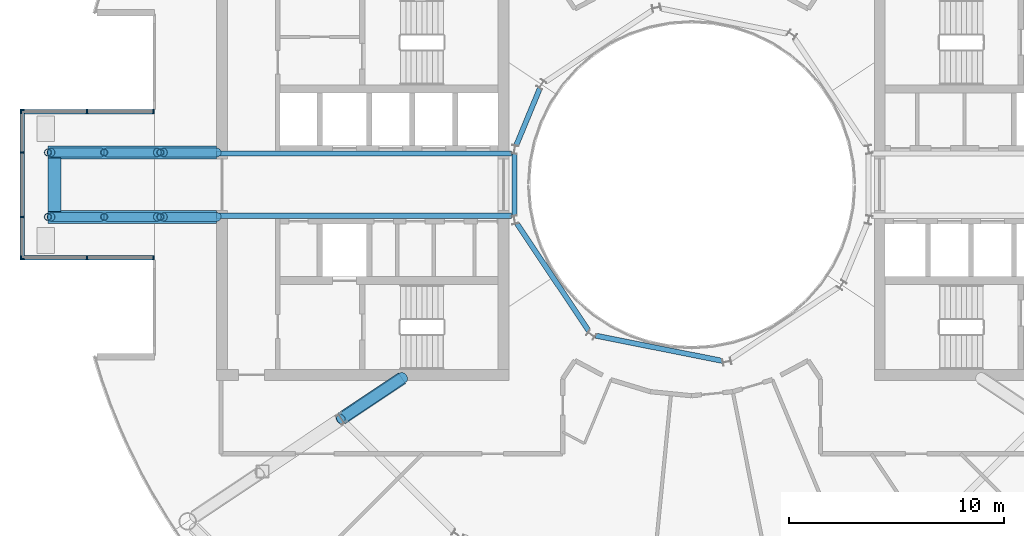
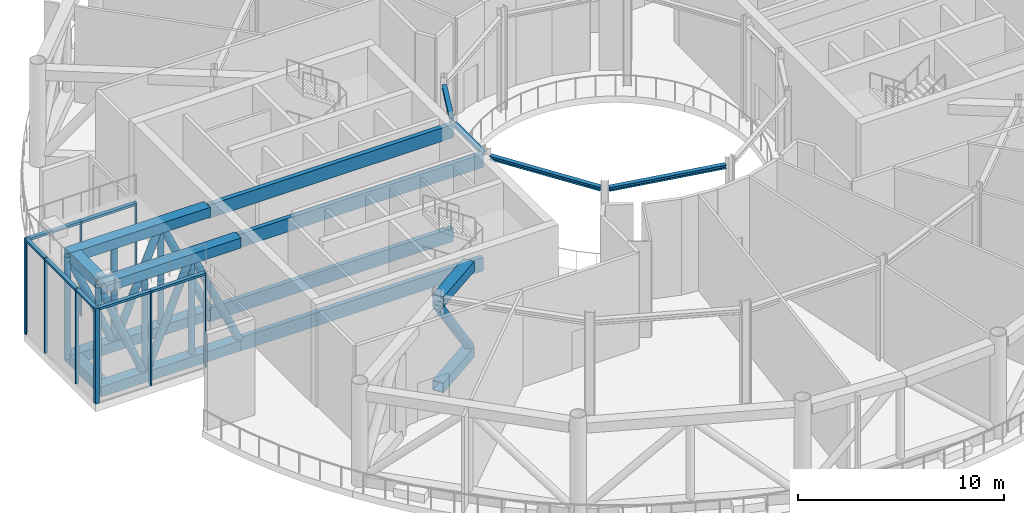
# One storey, part 6 of 24: 30 members, 16 beams, 3 elements without a shape of their own.
"""IFC4 building model written with IfcOpenShell, lengths in metres."""

from ifc_helpers import new_model, si_unit, direction, frame, origin, origin_2d, place, context, subcontext, project, spatial, rectangle, hollow_rectangle, hollow_circle, i_section, extrude, material, layer, layer_set, material_profile, profile_set, type_object, element, aggregate, save


model = new_model("IFC4")

# Units and contexts
model_context = context("Model", 3, precision=1e-05, world=origin(), true_north=direction((0.0, 1.0)))
body_context = subcontext(model_context, "Body", "Model", "MODEL_VIEW")
ifc_project = project(units=[si_unit("LENGTHUNIT", "METRE"), si_unit("AREAUNIT", "SQUARE_METRE"), si_unit("VOLUMEUNIT", "CUBIC_METRE"), si_unit("PLANEANGLEUNIT", "RADIAN"), si_unit("MASSUNIT", "GRAM", prefix="KILO")], contexts=[model_context])

# Site, building, storey
site_placement = place(None, origin())
site = spatial("IfcSite", under=ifc_project, at=site_placement, CompositionType="ELEMENT")
building_placement = place(site_placement, origin())
building = spatial("IfcBuilding", under=site, at=building_placement, Name="Maasbend Ring Residences", CompositionType="ELEMENT")
storey_placement = place(building_placement, frame((0.0, 0.0, 179.89990234375)))
storey = spatial("IfcBuildingStorey", under=building, at=storey_placement, Name="L52", CompositionType="ELEMENT", Elevation=179.89990234375)

# Curtain wall, members
ifc_material_1 = material(Name="Aluminium and clear glass", Category="aluminium")
ifc_layer = layer(ifc_material_1, 0.199951171875)
ifc_layer_set = layer_set([ifc_layer], Name="CW-GR")
curtain_wall_type = type_object("IfcCurtainWallType", Name="CW-GR", PredefinedType="NOTDEFINED", material=ifc_layer_set)
curtain_wall_1_placement = place(storey_placement, origin())
curtain_wall_1 = element("IfcCurtainWall", 1, at=curtain_wall_1_placement, inside=storey, type_object=curtain_wall_type, Name="Glass lounge curtain wall tip", PredefinedType="NOTDEFINED")
ifc_material_2 = material(Name="Aluminium 6063-T6", Category="aluminium")
ifc_material_profile_1 = material_profile(ifc_material_2, rectangle(XDim=0.199951171875, YDim=0.070068359375, at=origin_2d()), Name="AL 200x70")
ifc_profile_set_1 = profile_set([ifc_material_profile_1], Name="Aluminium 6063-T6")
member_type_1 = type_object("IfcMemberType", Name="CWM-GR", PredefinedType="MULLION", material=ifc_profile_set_1)
member_1_placement = place(storey_placement, frame((-31.14990234375, -3.465087890625, 0.0), z_axis=(0.0, 0.0, 1.0), x_axis=(-1.0, 0.0, 0.0)))
member_1 = element("IfcMember", 2, at=member_1_placement, type_object=member_type_1, Name="Mullion glass room", PredefinedType="MULLION", context=body_context, shape_type="SweptSolid", body=[
    extrude(rectangle(XDim=0.199951171875, YDim=0.070068359375, at=origin_2d()), origin(), (0.0, 0.0, 1.0), 5.650146484375),
])
member_2_placement = place(storey_placement, frame((-31.14990234375, -1.5, 0.0), z_axis=(0.0, 0.0, 1.0), x_axis=(-1.0, 0.0, 0.0)))
member_2 = element("IfcMember", 3, at=member_2_placement, type_object=member_type_1, Name="Mullion glass room", PredefinedType="MULLION", context=body_context, shape_type="SweptSolid", body=[
    extrude(rectangle(XDim=0.199951171875, YDim=0.070068359375, at=origin_2d()), origin(), (0.0, 0.0, 1.0), 5.650146484375),
])
member_3_placement = place(storey_placement, frame((-31.14990234375, 1.5, 0.0), z_axis=(0.0, 0.0, 1.0), x_axis=(-1.0, 0.0, 0.0)))
member_3 = element("IfcMember", 4, at=member_3_placement, type_object=member_type_1, Name="Mullion glass room", PredefinedType="MULLION", context=body_context, shape_type="SweptSolid", body=[
    extrude(rectangle(XDim=0.199951171875, YDim=0.070068359375, at=origin_2d()), origin(), (0.0, 0.0, 1.0), 5.650146484375),
])
member_4_placement = place(storey_placement, frame((-31.14990234375, 3.465087890625, 0.0), z_axis=(0.0, 0.0, 1.0), x_axis=(-1.0, 0.0, 0.0)))
member_4 = element("IfcMember", 5, at=member_4_placement, type_object=member_type_1, Name="Mullion glass room", PredefinedType="MULLION", context=body_context, shape_type="SweptSolid", body=[
    extrude(rectangle(XDim=0.199951171875, YDim=0.070068359375, at=origin_2d()), origin(), (0.0, 0.0, 1.0), 5.650146484375),
])

curtain_wall_2_placement = place(storey_placement, origin())
curtain_wall_2 = element("IfcCurtainWall", 6, at=curtain_wall_2_placement, inside=storey, type_object=curtain_wall_type, Name="Glass lounge curtain wall south", PredefinedType="NOTDEFINED")
member_5_placement = place(storey_placement, frame((-25.034912109375, -3.39990234375, 0.0), z_axis=(0.0, 0.0, 1.0), x_axis=(0.0, -1.0, 0.0)))
member_5 = element("IfcMember", 7, at=member_5_placement, type_object=member_type_1, Name="Mullion glass room", PredefinedType="MULLION", context=body_context, shape_type="SweptSolid", body=[
    extrude(rectangle(XDim=0.199951171875, YDim=0.070068359375, at=origin_2d()), origin(), (0.0, 0.0, 1.0), 5.650146484375),
])
member_6_placement = place(storey_placement, frame((-28.125, -3.39990234375, 0.0), z_axis=(0.0, 0.0, 1.0), x_axis=(0.0, -1.0, 0.0)))
member_6 = element("IfcMember", 8, at=member_6_placement, type_object=member_type_1, Name="Mullion glass room", PredefinedType="MULLION", context=body_context, shape_type="SweptSolid", body=[
    extrude(rectangle(XDim=0.199951171875, YDim=0.070068359375, at=origin_2d()), origin(), (0.0, 0.0, 1.0), 5.650146484375),
])
member_7_placement = place(storey_placement, frame((-31.215087890625, -3.39990234375, 0.0), z_axis=(0.0, 0.0, 1.0), x_axis=(0.0, -1.0, 0.0)))
member_7 = element("IfcMember", 9, at=member_7_placement, type_object=member_type_1, Name="Mullion glass room", PredefinedType="MULLION", context=body_context, shape_type="SweptSolid", body=[
    extrude(rectangle(XDim=0.199951171875, YDim=0.070068359375, at=origin_2d()), origin(), (0.0, 0.0, 1.0), 5.650146484375),
])

curtain_wall_3_placement = place(storey_placement, origin())
curtain_wall_3 = element("IfcCurtainWall", 10, at=curtain_wall_3_placement, inside=storey, type_object=curtain_wall_type, Name="Glass lounge curtain wall north", PredefinedType="NOTDEFINED")
member_8_placement = place(storey_placement, frame((-25.034912109375, 3.39990234375, 0.0), z_axis=(0.0, 0.0, 1.0), x_axis=(0.0, -1.0, 0.0)))
member_8 = element("IfcMember", 11, at=member_8_placement, type_object=member_type_1, Name="Mullion glass room", PredefinedType="MULLION", context=body_context, shape_type="SweptSolid", body=[
    extrude(rectangle(XDim=0.199951171875, YDim=0.070068359375, at=origin_2d()), origin(), (0.0, 0.0, 1.0), 5.650146484375),
])
member_9_placement = place(storey_placement, frame((-28.125, 3.39990234375, 0.0), z_axis=(0.0, 0.0, 1.0), x_axis=(0.0, -1.0, 0.0)))
member_9 = element("IfcMember", 12, at=member_9_placement, type_object=member_type_1, Name="Mullion glass room", PredefinedType="MULLION", context=body_context, shape_type="SweptSolid", body=[
    extrude(rectangle(XDim=0.199951171875, YDim=0.070068359375, at=origin_2d()), origin(), (0.0, 0.0, 1.0), 5.650146484375),
])
member_10_placement = place(storey_placement, frame((-31.215087890625, 3.39990234375, 0.0), z_axis=(0.0, 0.0, 1.0), x_axis=(0.0, -1.0, 0.0)))
member_10 = element("IfcMember", 13, at=member_10_placement, type_object=member_type_1, Name="Mullion glass room", PredefinedType="MULLION", context=body_context, shape_type="SweptSolid", body=[
    extrude(rectangle(XDim=0.199951171875, YDim=0.070068359375, at=origin_2d()), origin(), (0.0, 0.0, 1.0), 5.650146484375),
])

# Member
ifc_material_3 = material(Name="Aluminium 6063-T6", Category="aluminium")
ifc_material_profile_2 = material_profile(ifc_material_3, rectangle(XDim=0.199951171875, YDim=0.139892578125, at=origin_2d()), Name="AL 200x140")
ifc_profile_set_2 = profile_set([ifc_material_profile_2], Name="Aluminium 6063-T6")
member_type_2 = type_object("IfcMemberType", Name="CWT-GR", PredefinedType="USERDEFINED", material=ifc_profile_set_2)
member_11_placement = place(storey_placement, frame((-31.14990234375, -3.429931640625, 5.580078125), z_axis=(0.0, 1.0, 0.0), x_axis=(-1.0, 0.0, 0.0)))
member_11 = element("IfcMember", 14, at=member_11_placement, type_object=member_type_2, Name="Transom glass room", ObjectType="TRANSOM", PredefinedType="USERDEFINED", context=body_context, shape_type="SweptSolid", body=[
    extrude(rectangle(XDim=0.199951171875, YDim=0.139892578125, at=origin_2d()), origin(), (0.0, 0.0, 1.0), 1.89501953125),
])

member_12_placement = place(storey_placement, frame((-31.14990234375, -1.465087890625, 5.580078125), z_axis=(0.0, 1.0, 0.0), x_axis=(-1.0, 0.0, 0.0)))
member_12 = element("IfcMember", 15, at=member_12_placement, type_object=member_type_2, Name="Transom glass room", ObjectType="TRANSOM", PredefinedType="USERDEFINED", context=body_context, shape_type="SweptSolid", body=[
    extrude(rectangle(XDim=0.199951171875, YDim=0.139892578125, at=origin_2d()), origin(), (0.0, 0.0, 1.0), 2.93017578125),
])

member_13_placement = place(storey_placement, frame((-31.14990234375, 1.534912109375, 5.580078125), z_axis=(0.0, 1.0, 0.0), x_axis=(-1.0, 0.0, 0.0)))
member_13 = element("IfcMember", 16, at=member_13_placement, type_object=member_type_2, Name="Transom glass room", ObjectType="TRANSOM", PredefinedType="USERDEFINED", context=body_context, shape_type="SweptSolid", body=[
    extrude(rectangle(XDim=0.199951171875, YDim=0.139892578125, at=origin_2d()), origin(), (0.0, 0.0, 1.0), 1.89501953125),
])

aggregate(curtain_wall_1, [member_1, member_2, member_3, member_4, member_11, member_12, member_13])

member_14_placement = place(storey_placement, frame((-25.070068359375, -3.39990234375, 5.580078125), z_axis=(-1.0, 0.0, 0.0), x_axis=(0.0, -1.0, 0.0)))
member_14 = element("IfcMember", 17, at=member_14_placement, type_object=member_type_2, Name="Transom glass room", ObjectType="TRANSOM", PredefinedType="USERDEFINED", context=body_context, shape_type="SweptSolid", body=[
    extrude(rectangle(XDim=0.199951171875, YDim=0.139892578125, at=origin_2d()), origin(), (0.0, 0.0, 1.0), 3.02001953125),
])

member_15_placement = place(storey_placement, frame((-28.159912109375, -3.39990234375, 5.580078125), z_axis=(-1.0, 0.0, 0.0), x_axis=(0.0, -1.0, 0.0)))
member_15 = element("IfcMember", 18, at=member_15_placement, type_object=member_type_2, Name="Transom glass room", ObjectType="TRANSOM", PredefinedType="USERDEFINED", context=body_context, shape_type="SweptSolid", body=[
    extrude(rectangle(XDim=0.199951171875, YDim=0.139892578125, at=origin_2d()), origin(), (0.0, 0.0, 1.0), 3.02001953125),
])

aggregate(curtain_wall_2, [member_5, member_6, member_7, member_14, member_15])

member_16_placement = place(storey_placement, frame((-25.070068359375, 3.39990234375, 5.580078125), z_axis=(-1.0, 0.0, 0.0), x_axis=(0.0, -1.0, 0.0)))
member_16 = element("IfcMember", 19, at=member_16_placement, type_object=member_type_2, Name="Transom glass room", ObjectType="TRANSOM", PredefinedType="USERDEFINED", context=body_context, shape_type="SweptSolid", body=[
    extrude(rectangle(XDim=0.199951171875, YDim=0.139892578125, at=origin_2d()), origin(), (0.0, 0.0, 1.0), 3.02001953125),
])

member_17_placement = place(storey_placement, frame((-28.159912109375, 3.39990234375, 5.580078125), z_axis=(-1.0, 0.0, 0.0), x_axis=(0.0, -1.0, 0.0)))
member_17 = element("IfcMember", 20, at=member_17_placement, type_object=member_type_2, Name="Transom glass room", ObjectType="TRANSOM", PredefinedType="USERDEFINED", context=body_context, shape_type="SweptSolid", body=[
    extrude(rectangle(XDim=0.199951171875, YDim=0.139892578125, at=origin_2d()), origin(), (0.0, 0.0, 1.0), 3.02001953125),
])

aggregate(curtain_wall_3, [member_8, member_9, member_10, member_16, member_17])

# Beams
ifc_material_4 = material(Name="Steel S460M", Category="steel")
ifc_material_profile_3 = material_profile(ifc_material_4, hollow_rectangle(XDim=0.25, YDim=0.800048828125, WallThickness=0.02490234375, at=origin_2d()), Name="Glass room back-span beam BX 800x250x25")
ifc_profile_set_3 = profile_set([ifc_material_profile_3], Name="Steel S460M")
beam_type_1 = type_object("IfcBeamType", Name="Glass room back-span beam BX 800x250x25", PredefinedType="BEAM", material=ifc_profile_set_3)
for number, where, z_axis, x_axis, name in (
    (21, (-22.10009765625, -1.449951171875, -0.849853515625), (1.0, 0.0, 0.0), (0.0, 1.0, 0.0), "Glass room lower back-span beam W"),
    (22, (-22.10009765625, -1.449951171875, 5.300048828125), (1.0, 0.0, 0.0), (0.0, 1.0, 0.0), "Glass room back-span beam W"),
    (23, (-22.10009765625, 1.449951171875, -0.849853515625), (1.0, 0.0, 0.0), (0.0, 1.0, 0.0), "Glass room lower back-span beam W"),
    (24, (-22.10009765625, 1.449951171875, 5.300048828125), (1.0, 0.0, 0.0), (0.0, 1.0, 0.0), "Glass room back-span beam W"),
):
    element("IfcBeam", number, at=place(storey_placement, frame(where, z_axis=z_axis, x_axis=x_axis)), inside=storey, type_object=beam_type_1, Name=name, PredefinedType="BEAM", context=body_context, shape_type="SweptSolid", body=[
        extrude(hollow_rectangle(XDim=0.25, YDim=0.800048828125, WallThickness=0.02490234375, at=origin_2d()), origin(), (0.0, 0.0, 1.0), 13.73095703125),
    ])
ifc_material_5 = material(Name="Steel S460M", Category="steel")
ifc_material_profile_4 = material_profile(ifc_material_5, hollow_rectangle(XDim=0.60009765625, YDim=0.60009765625, WallThickness=0.035888671875, at=origin_2d()), Name="Glass room truss chord BX 600x600x36")
ifc_profile_set_4 = profile_set([ifc_material_profile_4], Name="Steel S460M")
beam_type_2 = type_object("IfcBeamType", Name="Glass room truss chord BX 600x600x36", PredefinedType="BEAM", material=ifc_profile_set_4)
for number, where, z_axis, x_axis, name in (
    (25, (-22.10009765625, -1.5, -0.75), (-1.0, 0.0, 0.0), (0.0, -1.0, 0.0), "Glass room truss W"),
    (26, (-22.10009765625, -1.5, 5.35009765625), (-1.0, 0.0, 0.0), (0.0, -1.0, 0.0), "Glass room truss W"),
):
    element("IfcBeam", number, at=place(storey_placement, frame(where, z_axis=z_axis, x_axis=x_axis)), inside=storey, type_object=beam_type_2, Name=name, PredefinedType="BEAM", context=body_context, shape_type="SweptSolid", body=[
        extrude(hollow_rectangle(XDim=0.60009765625, YDim=0.60009765625, WallThickness=0.035888671875, at=origin_2d()), origin(), (0.0, 0.0, 1.0), 7.849853515625),
    ])
for number, where, z_axis, x_axis, name in (
    (27, (-29.64990234375, -1.25, 5.35009765625), (0.0, 1.0, 0.0), (-1.0, 0.0, 0.0), "Glass room tip beam W"),
    (28, (-29.64990234375, -1.25, -0.75), (0.0, 1.0, 0.0), (-1.0, 0.0, 0.0), "Glass room lower tip beam W"),
):
    element("IfcBeam", number, at=place(storey_placement, frame(where, z_axis=z_axis, x_axis=x_axis)), inside=storey, type_object=beam_type_2, Name=name, PredefinedType="BEAM", context=body_context, shape_type="SweptSolid", body=[
        extrude(hollow_rectangle(XDim=0.60009765625, YDim=0.60009765625, WallThickness=0.035888671875, at=origin_2d()), origin(), (0.0, 0.0, 1.0), 2.5),
    ])
for number, where, z_axis, x_axis, name in (
    (29, (-22.10009765625, 1.5, -0.75), (-1.0, 0.0, 0.0), (0.0, -1.0, 0.0), "Glass room truss W"),
    (30, (-22.10009765625, 1.5, 5.35009765625), (-1.0, 0.0, 0.0), (0.0, -1.0, 0.0), "Glass room truss W"),
):
    element("IfcBeam", number, at=place(storey_placement, frame(where, z_axis=z_axis, x_axis=x_axis)), inside=storey, type_object=beam_type_2, Name=name, PredefinedType="BEAM", context=body_context, shape_type="SweptSolid", body=[
        extrude(hollow_rectangle(XDim=0.60009765625, YDim=0.60009765625, WallThickness=0.035888671875, at=origin_2d()), origin(), (0.0, 0.0, 1.0), 7.849853515625),
    ])

# Members
ifc_material_6 = material(Name="Steel S460NH", Category="steel")
ifc_material_profile_5 = material_profile(ifc_material_6, hollow_circle(Radius=0.203125, WallThickness=0.01611328125, at=origin_2d()), Name="Glass room truss diagonal CHS 406.4x16")
ifc_profile_set_5 = profile_set([ifc_material_profile_5], Name="Steel S460NH")
member_type_3 = type_object("IfcMemberType", Name="Glass room truss diagonal CHS 406.4x16", PredefinedType="BRACE", material=ifc_profile_set_5)
member_18_placement = place(storey_placement, frame((-22.07763671875, -1.5, -0.5), z_axis=(-0.407545324182, 0.0, 0.913184980569), x_axis=(0.0, -1.0, 0.0)))
element("IfcMember", 31, at=member_18_placement, inside=storey, type_object=member_type_3, Name="Glass room truss W diagonal", PredefinedType="BRACE", context=body_context, shape_type="SweptSolid", body=[
    extrude(hollow_circle(Radius=0.203125, WallThickness=0.01611328125, at=origin_2d()), origin(), (0.0, 0.0, 1.0), 6.132568359375),
])
for number, where, z_axis, x_axis, name in (
    (32, (-24.85791015625, -1.5, 5.10009765625), (-0.384735387279, 0.0, -0.923026912812), (0.0, -1.0, 0.0), "Glass room truss W diagonal"),
    (33, (-27.474365234375, -1.5, -0.5), (-0.384769670171, 0.0, 0.923012622295), (0.0, -1.0, 0.0), "Glass room truss W diagonal"),
):
    element("IfcMember", number, at=place(storey_placement, frame(where, z_axis=z_axis, x_axis=x_axis)), inside=storey, type_object=member_type_3, Name=name, PredefinedType="BRACE", context=body_context, shape_type="SweptSolid", body=[
        extrude(hollow_circle(Radius=0.203125, WallThickness=0.01611328125, at=origin_2d()), origin(), (0.0, 0.0, 1.0), 6.067138671875),
    ])
member_19_placement = place(storey_placement, frame((-22.07763671875, 1.5, -0.5), z_axis=(-0.407545324182, 0.0, 0.913184980569), x_axis=(0.0, -1.0, 0.0)))
element("IfcMember", 34, at=member_19_placement, inside=storey, type_object=member_type_3, Name="Glass room truss W diagonal", PredefinedType="BRACE", context=body_context, shape_type="SweptSolid", body=[
    extrude(hollow_circle(Radius=0.203125, WallThickness=0.01611328125, at=origin_2d()), origin(), (0.0, 0.0, 1.0), 6.132568359375),
])
for number, where, z_axis, x_axis, name in (
    (35, (-24.85791015625, 1.5, 5.10009765625), (-0.384735387279, 0.0, -0.923026912812), (0.0, -1.0, 0.0), "Glass room truss W diagonal"),
    (36, (-27.474365234375, 1.5, -0.5), (-0.384769670171, 0.0, 0.923012622295), (0.0, -1.0, 0.0), "Glass room truss W diagonal"),
):
    element("IfcMember", number, at=place(storey_placement, frame(where, z_axis=z_axis, x_axis=x_axis)), inside=storey, type_object=member_type_3, Name=name, PredefinedType="BRACE", context=body_context, shape_type="SweptSolid", body=[
        extrude(hollow_circle(Radius=0.203125, WallThickness=0.01611328125, at=origin_2d()), origin(), (0.0, 0.0, 1.0), 6.067138671875),
    ])
ifc_material_7 = material(Name="Steel S460NH", Category="steel")
ifc_material_profile_6 = material_profile(ifc_material_7, hollow_circle(Radius=0.161865234375, WallThickness=0.012451171875, at=origin_2d()), Name="Glass room truss post CHS 323.9x12.5")
ifc_profile_set_6 = profile_set([ifc_material_profile_6], Name="Steel S460NH")
member_type_4 = type_object("IfcMemberType", Name="Glass room truss post CHS 323.9x12.5", PredefinedType="POST", material=ifc_profile_set_6)
for number, where, z_axis, x_axis, name in (
    (37, (-24.716796875, -1.5, -0.449951171875), (0.0, 0.0, 1.0), (1.0, 0.0, 0.0), "Glass room truss W post"),
    (38, (-27.333251953125, -1.5, -0.449951171875), (0.0, 0.0, 1.0), (1.0, 0.0, 0.0), "Glass room truss W post"),
):
    element("IfcMember", number, at=place(storey_placement, frame(where, z_axis=z_axis, x_axis=x_axis)), inside=storey, type_object=member_type_4, Name=name, PredefinedType="POST", context=body_context, shape_type="SweptSolid", body=[
        extrude(hollow_circle(Radius=0.161865234375, WallThickness=0.012451171875, at=origin_2d()), origin(), (0.0, 0.0, 1.0), 5.5),
    ])
member_20_placement = place(storey_placement, frame((-29.949951171875, -1.5, -0.75), z_axis=(0.0, 0.0, 1.0), x_axis=(1.0, 0.0, 0.0)))
element("IfcMember", 39, at=member_20_placement, inside=storey, type_object=member_type_4, Name="Glass room truss W post", PredefinedType="POST", context=body_context, shape_type="SweptSolid", body=[
    extrude(hollow_circle(Radius=0.161865234375, WallThickness=0.012451171875, at=origin_2d()), origin(), (0.0, 0.0, 1.0), 6.10009765625),
])
for number, where, z_axis, x_axis, name in (
    (40, (-24.716796875, 1.5, -0.449951171875), (0.0, 0.0, 1.0), (1.0, 0.0, 0.0), "Glass room truss W post"),
    (41, (-27.333251953125, 1.5, -0.449951171875), (0.0, 0.0, 1.0), (1.0, 0.0, 0.0), "Glass room truss W post"),
):
    element("IfcMember", number, at=place(storey_placement, frame(where, z_axis=z_axis, x_axis=x_axis)), inside=storey, type_object=member_type_4, Name=name, PredefinedType="POST", context=body_context, shape_type="SweptSolid", body=[
        extrude(hollow_circle(Radius=0.161865234375, WallThickness=0.012451171875, at=origin_2d()), origin(), (0.0, 0.0, 1.0), 5.5),
    ])
member_21_placement = place(storey_placement, frame((-29.949951171875, 1.5, -0.75), z_axis=(0.0, 0.0, 1.0), x_axis=(1.0, 0.0, 0.0)))
element("IfcMember", 42, at=member_21_placement, inside=storey, type_object=member_type_4, Name="Glass room truss W post", PredefinedType="POST", context=body_context, shape_type="SweptSolid", body=[
    extrude(hollow_circle(Radius=0.161865234375, WallThickness=0.012451171875, at=origin_2d()), origin(), (0.0, 0.0, 1.0), 6.10009765625),
])

# Beams
ifc_material_8 = material(Name="Steel S460M", Category="steel")
ifc_material_profile_7 = material_profile(ifc_material_8, hollow_rectangle(XDim=0.60009765625, YDim=0.60009765625, WallThickness=0.035888671875, at=origin_2d()), Name="Outrigger truss chord BX 600x600x36")
ifc_profile_set_7 = profile_set([ifc_material_profile_7], Name="Steel S460M")
beam_type_3 = type_object("IfcBeamType", Name="Outrigger truss chord BX 600x600x36", PredefinedType="BEAM", material=ifc_profile_set_7)
for number, where, z_axis, x_axis, name in (
    (43, (-16.2900390625, -10.884765625, 0.300048828125), (0.831451918965, 0.555596712058, 0.0), (-0.555596712058, 0.831451918965, 0.0), "Outrigger truss"),
    (44, (-16.2900390625, -10.884765625, 5.400146484375), (0.831451918965, 0.555596712058, 0.0), (-0.555596712058, 0.831451918965, 0.0), "Outrigger truss"),
):
    element("IfcBeam", number, at=place(storey_placement, frame(where, z_axis=z_axis, x_axis=x_axis)), inside=storey, type_object=beam_type_3, Name=name, PredefinedType="BEAM", context=body_context, shape_type="SweptSolid", body=[
        extrude(hollow_rectangle(XDim=0.60009765625, YDim=0.60009765625, WallThickness=0.035888671875, at=origin_2d()), origin(), (0.0, 0.0, 1.0), 3.392333984375),
    ])

# Member
ifc_material_9 = material(Name="Steel S460NH", Category="steel")
ifc_material_profile_8 = material_profile(ifc_material_9, hollow_circle(Radius=0.25390625, WallThickness=0.02490234375, at=origin_2d()), Name="Outrigger truss diagonal CHS 508x25")
ifc_profile_set_8 = profile_set([ifc_material_profile_8], Name="Steel S460NH")
member_type_5 = type_object("IfcMemberType", Name="Outrigger truss diagonal CHS 508x25", PredefinedType="BRACE", material=ifc_profile_set_8)
member_22_placement = place(storey_placement, frame((-16.321533203125, -10.90576171875, 5.150146484375), z_axis=(0.500536047813, 0.334453517005, -0.798501415028), x_axis=(-0.555577149194, 0.831464991021, 0.0)))
element("IfcMember", 45, at=member_22_placement, inside=storey, type_object=member_type_5, Name="Outrigger truss diagonal", PredefinedType="BRACE", context=body_context, shape_type="SweptSolid", body=[
    extrude(hollow_circle(Radius=0.25390625, WallThickness=0.02490234375, at=origin_2d()), origin(), (0.0, 0.0, 1.0), 5.760986328125),
])

# Beams
ifc_material_10 = material(Name="Steel S355J2", Category="steel")
ifc_material_profile_9 = material_profile(ifc_material_10, i_section(OverallWidth=0.239990234375, OverallDepth=0.22998046875, WebThickness=0.007568359375, FlangeThickness=0.011962890625, FilletRadius=0.02099609375, at=origin_2d()), Name="HEA 240")
ifc_profile_set_9 = profile_set([ifc_material_profile_9], Name="Steel S355J2")
beam_type_4 = type_object("IfcBeamType", Name="Well edge beam HEA 240", PredefinedType="BEAM", material=ifc_profile_set_9)
for number, where, z_axis, x_axis, name in (
    (46, (-7.060302734375, 4.483154296875, 5.585205078125), (-0.382748596828, -0.923852537814, 0.0), (0.923852537814, -0.382748596828, 0.0), "Well edge beam"),
    (47, (-8.238525390625, 1.43994140625, 5.585205078125), (0.0, -1.0, 0.0), (1.0, 0.0, 0.0), "Well edge beam"),
):
    element("IfcBeam", number, at=place(storey_placement, frame(where, z_axis=z_axis, x_axis=x_axis)), inside=storey, type_object=beam_type_4, Name=name, PredefinedType="BEAM", context=body_context, shape_type="SweptSolid", body=[
        extrude(i_section(OverallWidth=0.239990234375, OverallDepth=0.22998046875, WebThickness=0.007568359375, FlangeThickness=0.011962890625, FilletRadius=0.02099609375, at=origin_2d()), origin(), (0.0, 0.0, 1.0), 2.8798828125),
    ])
beam_1_placement = place(storey_placement, frame((-8.121337890625, -1.814208984375, 5.585205078125), z_axis=(0.555553413909, -0.831480850227, 0.0), x_axis=(0.831480850227, 0.555553413909, 0.0)))
element("IfcBeam", 48, at=beam_1_placement, inside=storey, type_object=beam_type_4, Name="Well edge beam", PredefinedType="BEAM", context=body_context, shape_type="SweptSolid", body=[
    extrude(i_section(OverallWidth=0.239990234375, OverallDepth=0.22998046875, WebThickness=0.007568359375, FlangeThickness=0.011962890625, FilletRadius=0.02099609375, at=origin_2d()), origin(), (0.0, 0.0, 1.0), 6.0068359375),
])
beam_2_placement = place(storey_placement, frame((-4.459716796875, -7.025390625, 5.585205078125), z_axis=(0.980778695042, -0.195123425945, 0.0), x_axis=(0.195123425945, 0.980778695042, 0.0)))
element("IfcBeam", 49, at=beam_2_placement, inside=storey, type_object=beam_type_4, Name="Well edge beam", PredefinedType="BEAM", context=body_context, shape_type="SweptSolid", body=[
    extrude(i_section(OverallWidth=0.239990234375, OverallDepth=0.22998046875, WebThickness=0.007568359375, FlangeThickness=0.011962890625, FilletRadius=0.02099609375, at=origin_2d()), origin(), (0.0, 0.0, 1.0), 6.007080078125),
])

save(model, "model.ifc")
